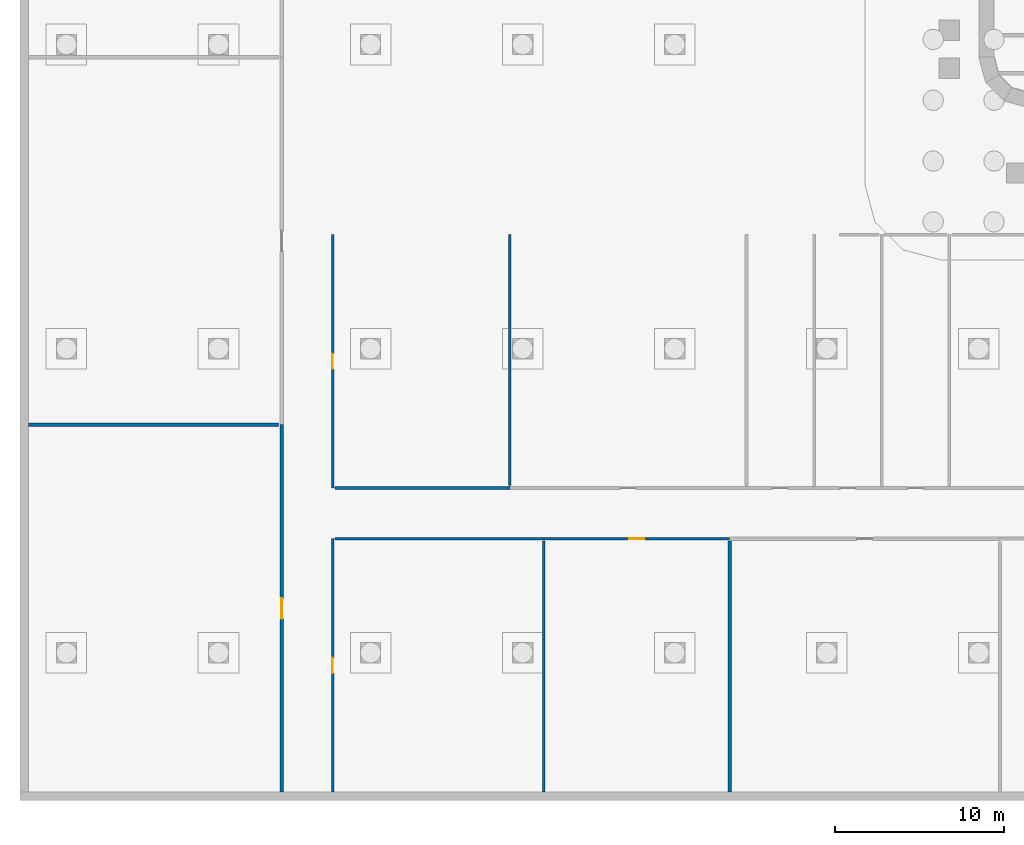
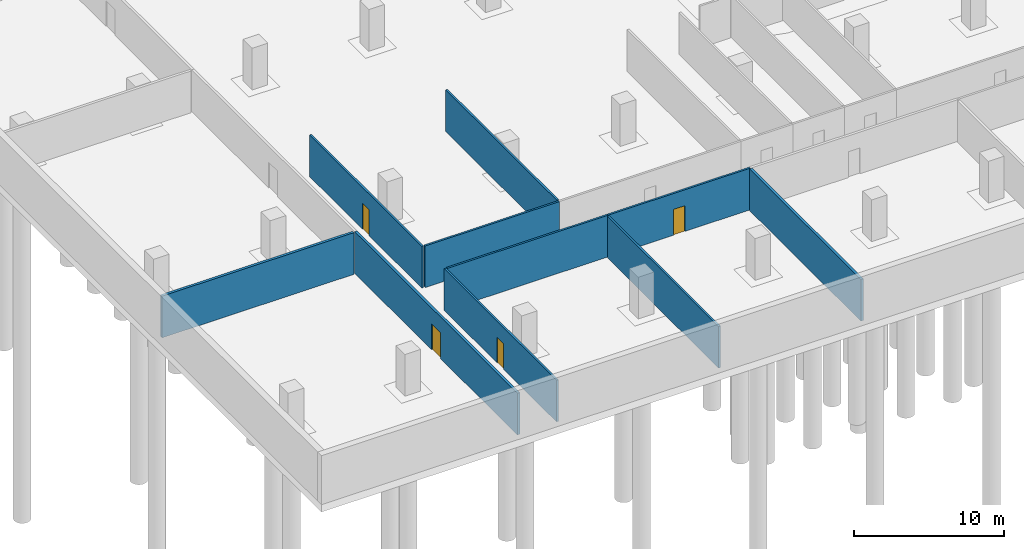
# One storey, part 4 of 14: 10 walls, 4 doors, 4 openings.
"""IFC4 building model written with IfcOpenShell, lengths in metres."""

from ifc_helpers import new_model, si_unit, direction, frame, frame_2d, origin, place, context, subcontext, project, spatial, rectangle, extrude, material, layer, layer_set, type_object, element, fill, save


model = new_model("IFC4")

# Units and contexts
model_context = context("Model", 3, precision=1e-05, world=origin(), true_north=direction((0.0, 1.0)))
body_context = subcontext(model_context, "Body", "Model", "MODEL_VIEW")
ifc_project = project(units=[si_unit("LENGTHUNIT", "METRE"), si_unit("AREAUNIT", "SQUARE_METRE"), si_unit("VOLUMEUNIT", "CUBIC_METRE"), si_unit("PLANEANGLEUNIT", "RADIAN"), si_unit("MASSUNIT", "GRAM", prefix="KILO")], contexts=[model_context])

# Site, building, storey
site_placement = place(None, origin())
site = spatial("IfcSite", under=ifc_project, at=site_placement, CompositionType="ELEMENT")
building_placement = place(site_placement, origin())
building = spatial("IfcBuilding", under=site, at=building_placement, Name="Zarbagh Exchange Tower", CompositionType="ELEMENT")
storey_placement = place(building_placement, frame((0.0, 0.0, -8.0)))
storey = spatial("IfcBuildingStorey", under=building, at=storey_placement, Name="B2", CompositionType="ELEMENT", Elevation=-8.0)

# Wall, opening, door
ifc_material_1 = material(Name="Plasterboard partition")
ifc_layer_1 = layer(ifc_material_1, 0.14990234375)
ifc_layer_set_1 = layer_set([ifc_layer_1], Name="Board partition 150")
wall_type_1 = type_object("IfcWallType", Name="Board partition 150", PredefinedType="PARTITIONING", material=ifc_layer_set_1)
wall_1_placement = place(storey_placement, frame((-42.75, -54.75, 0.0), z_axis=(0.0, 0.0, 1.0), x_axis=(0.0, -1.0, 0.0)))
wall_1 = element("IfcWall", 1, at=wall_1_placement, inside=storey, type_object=wall_type_1, Name="WL-B2-W007", PredefinedType="PARTITIONING", context=body_context, shape_type="SweptSolid", body=[
    extrude(rectangle(XDim=15.0, YDim=0.14990234375, at=frame_2d((7.5, 0.0))), origin(), (0.0, 0.0, 1.0), 3.39990234375),
])
opening_1_placement = place(wall_1_placement, frame((7.050048828125, 0.0, 0.0)))
opening_1 = element("IfcOpeningElement", 2, at=opening_1_placement, cuts=wall_1, Name="Opening D07", PredefinedType="OPENING", context=body_context, shape_type="SweptSolid", body=[
    extrude(rectangle(XDim=0.89990234375, YDim=2.10009765625, at=frame_2d((0.449951171875, 1.050048828125))), frame((0.0, 0.0849609375, 0.0), z_axis=(0.0, -1.0, 0.0), x_axis=(1.0, 0.0, 0.0)), (0.0, 0.0, 1.0), 0.169921875),
])
ifc_material_2 = material(Name="Timber door leaf", Category="wood")
door_type_1 = type_object("IfcDoorType", Name="Door single 900x2100", OperationType="SINGLE_SWING_LEFT", PredefinedType="DOOR", material=ifc_material_2)
door_1_placement = place(opening_1_placement, origin())
door_1 = element("IfcDoor", 3, at=door_1_placement, inside=storey, type_object=door_type_1, Name="D07", OperationType="SINGLE_SWING_LEFT", OverallHeight=2.10009765625, OverallWidth=0.89990234375, PredefinedType="DOOR", context=body_context, shape_type="SweptSolid", body=[
    extrude(rectangle(XDim=0.89990234375, YDim=2.10009765625, at=frame_2d((0.449951171875, 1.050048828125))), frame((0.0, 0.02490234375, 0.0), z_axis=(0.0, -1.0, 0.0), x_axis=(1.0, 0.0, 0.0)), (0.0, 0.0, 1.0), 0.050048828125),
])
fill(opening_1, door_1)

wall_2_placement = place(storey_placement, frame((-42.75, -36.75, 0.0), z_axis=(0.0, 0.0, 1.0), x_axis=(0.0, -1.0, 0.0)))
wall_2 = element("IfcWall", 4, at=wall_2_placement, inside=storey, type_object=wall_type_1, Name="WL-B2-W008", PredefinedType="PARTITIONING", context=body_context, shape_type="SweptSolid", body=[
    extrude(rectangle(XDim=15.0, YDim=0.14990234375, at=frame_2d((7.5, 0.0))), origin(), (0.0, 0.0, 1.0), 3.39990234375),
])
opening_2_placement = place(wall_2_placement, frame((7.050048828125, 0.0, 0.0)))
opening_2 = element("IfcOpeningElement", 5, at=opening_2_placement, cuts=wall_2, Name="Opening D49", PredefinedType="OPENING", context=body_context, shape_type="SweptSolid", body=[
    extrude(rectangle(XDim=0.89990234375, YDim=2.10009765625, at=frame_2d((0.449951171875, 1.050048828125))), frame((0.0, 0.0849609375, 0.0), z_axis=(0.0, -1.0, 0.0), x_axis=(1.0, 0.0, 0.0)), (0.0, 0.0, 1.0), 0.169921875),
])
door_2_placement = place(opening_2_placement, origin())
door_2 = element("IfcDoor", 6, at=door_2_placement, inside=storey, type_object=door_type_1, Name="D08", OperationType="SINGLE_SWING_LEFT", OverallHeight=2.10009765625, OverallWidth=0.89990234375, PredefinedType="DOOR", context=body_context, shape_type="SweptSolid", body=[
    extrude(rectangle(XDim=0.89990234375, YDim=2.10009765625, at=frame_2d((0.449951171875, 1.050048828125))), frame((0.0, 0.02490234375, 0.0), z_axis=(0.0, -1.0, 0.0), x_axis=(1.0, 0.0, 0.0)), (0.0, 0.0, 1.0), 0.050048828125),
])
fill(opening_2, door_2)

# Wall
wall_3_placement = place(storey_placement, frame((-30.25, -54.75, 0.0), z_axis=(0.0, 0.0, 1.0), x_axis=(-1.0, 0.0, 0.0)))
element("IfcWall", 7, at=wall_3_placement, inside=storey, type_object=wall_type_1, Name="WL-B2-W014", PredefinedType="PARTITIONING", context=body_context, shape_type="SweptSolid", body=[
    extrude(rectangle(XDim=12.35009765625, YDim=0.14990234375, at=frame_2d((6.175048828125, 0.0))), origin(), (0.0, 0.0, 1.0), 3.39990234375),
])

# Wall, opening, door
wall_4_placement = place(storey_placement, frame((-19.25, -54.75, 0.0), z_axis=(0.0, 0.0, 1.0), x_axis=(-1.0, 0.0, 0.0)))
wall_4 = element("IfcWall", 8, at=wall_4_placement, inside=storey, type_object=wall_type_1, Name="WL-B2-W015", PredefinedType="PARTITIONING", context=body_context, shape_type="SweptSolid", body=[
    extrude(rectangle(XDim=11.0, YDim=0.14990234375, at=frame_2d((5.5, 0.0))), origin(), (0.0, 0.0, 1.0), 3.39990234375),
])
opening_3_placement = place(wall_4_placement, frame((5.050048828125, 0.0, 0.0)))
opening_3 = element("IfcOpeningElement", 9, at=opening_3_placement, cuts=wall_4, Name="Opening D09", PredefinedType="OPENING", context=body_context, shape_type="SweptSolid", body=[
    extrude(rectangle(XDim=0.89990234375, YDim=2.10009765625, at=frame_2d((0.449951171875, 1.050048828125))), frame((0.0, 0.0849609375, 0.0), z_axis=(0.0, -1.0, 0.0), x_axis=(1.0, 0.0, 0.0)), (0.0, 0.0, 1.0), 0.169921875),
])
door_3_placement = place(opening_3_placement, origin())
door_3 = element("IfcDoor", 10, at=door_3_placement, inside=storey, type_object=door_type_1, Name="D09", OperationType="SINGLE_SWING_LEFT", OverallHeight=2.10009765625, OverallWidth=0.89990234375, PredefinedType="DOOR", context=body_context, shape_type="SweptSolid", body=[
    extrude(rectangle(XDim=0.89990234375, YDim=2.10009765625, at=frame_2d((0.449951171875, 1.050048828125))), frame((0.0, 0.02490234375, 0.0), z_axis=(0.0, -1.0, 0.0), x_axis=(1.0, 0.0, 0.0)), (0.0, 0.0, 1.0), 0.050048828125),
])
fill(opening_3, door_3)

# Walls
wall_5_placement = place(storey_placement, frame((-42.60009765625, -51.75, 0.0), z_axis=(0.0, 0.0, 1.0), x_axis=(1.0, 0.0, 0.0)))
element("IfcWall", 11, at=wall_5_placement, inside=storey, type_object=wall_type_1, Name="WL-B2-W021", PredefinedType="PARTITIONING", context=body_context, shape_type="SweptSolid", body=[
    extrude(rectangle(XDim=10.35009765625, YDim=0.14990234375, at=frame_2d((5.175048828125, 0.0))), origin(), (0.0, 0.0, 1.0), 3.39990234375),
])
for number, where, z_axis, x_axis, name in (
    (12, (-30.25, -54.89990234375, 0.0), (0.0, 0.0, 1.0), (0.0, -1.0, 0.0), "WL-B2-W030"),
    (13, (-32.25, -36.75, 0.0), (0.0, 0.0, 1.0), (0.0, -1.0, 0.0), "WL-B2-W038"),
):
    element("IfcWall", number, at=place(storey_placement, frame(where, z_axis=z_axis, x_axis=x_axis)), inside=storey, type_object=wall_type_1, Name=name, PredefinedType="PARTITIONING", context=body_context, shape_type="SweptSolid", body=[
        extrude(rectangle(XDim=14.85009765625, YDim=0.14990234375, at=frame_2d((7.425048828125, 0.0))), origin(), (0.0, 0.0, 1.0), 3.39990234375),
    ])

# Wall, opening, door
ifc_material_3 = material(Name="Concrete block partition", Category="concrete")
ifc_layer_2 = layer(ifc_material_3, 0.199951171875)
ifc_layer_set_2 = layer_set([ifc_layer_2], Name="Fire-rated block partition 200 EI 120")
wall_type_2 = type_object("IfcWallType", Name="Fire-rated block partition 200 EI 120", PredefinedType="PARTITIONING", material=ifc_layer_set_2)
wall_6_placement = place(storey_placement, frame((-45.75, -69.75, 0.0), z_axis=(0.0, 0.0, 1.0), x_axis=(0.0, 1.0, 0.0)))
wall_6 = element("IfcWall", 14, at=wall_6_placement, inside=storey, type_object=wall_type_2, Name="WL-B2-W001", PredefinedType="PARTITIONING", context=body_context, shape_type="SweptSolid", body=[
    extrude(rectangle(XDim=21.75, YDim=0.199951171875, at=frame_2d((10.875, 0.0))), origin(), (0.0, 0.0, 1.0), 3.39990234375),
])
opening_4_placement = place(wall_6_placement, frame((10.27490234375, 0.0, 0.0)))
opening_4 = element("IfcOpeningElement", 15, at=opening_4_placement, cuts=wall_6, Name="Opening D29", PredefinedType="OPENING", context=body_context, shape_type="SweptSolid", body=[
    extrude(rectangle(XDim=1.199951171875, YDim=2.10009765625, at=frame_2d((0.60009765625, 1.050048828125))), frame((0.0, 0.10986328125, 0.0), z_axis=(0.0, -1.0, 0.0), x_axis=(1.0, 0.0, 0.0)), (0.0, 0.0, 1.0), 0.219970703125),
])
ifc_material_4 = material(Name="Steel door set", Category="steel")
door_type_2 = type_object("IfcDoorType", Name="Door single 1200x2100 EI 120", OperationType="SINGLE_SWING_LEFT", PredefinedType="DOOR", material=ifc_material_4)
door_4_placement = place(opening_4_placement, origin())
door_4 = element("IfcDoor", 16, at=door_4_placement, inside=storey, type_object=door_type_2, Name="D01", OperationType="SINGLE_SWING_LEFT", OverallHeight=2.10009765625, OverallWidth=1.199951171875, PredefinedType="DOOR", context=body_context, shape_type="SweptSolid", body=[
    extrude(rectangle(XDim=1.199951171875, YDim=2.10009765625, at=frame_2d((0.60009765625, 1.050048828125))), frame((0.0, 0.02490234375, 0.0), z_axis=(0.0, -1.0, 0.0), x_axis=(1.0, 0.0, 0.0)), (0.0, 0.0, 1.0), 0.050048828125),
])
fill(opening_4, door_4)

# Walls
wall_7_placement = place(storey_placement, frame((-60.75, -48.0, 0.0), z_axis=(0.0, 0.0, 1.0), x_axis=(1.0, 0.0, 0.0)))
element("IfcWall", 17, at=wall_7_placement, inside=storey, type_object=wall_type_2, Name="WL-B2-W009", PredefinedType="PARTITIONING", context=body_context, shape_type="SweptSolid", body=[
    extrude(rectangle(XDim=14.800048828125, YDim=0.199951171875, at=frame_2d((7.39990234375, 0.0))), origin(), (0.0, 0.0, 1.0), 3.39990234375),
])
ifc_layer_3 = layer(ifc_material_3, 0.199951171875)
ifc_layer_set_3 = layer_set([ifc_layer_3], Name="Fire-rated block partition 200 EI 60")
wall_type_3 = type_object("IfcWallType", Name="Fire-rated block partition 200 EI 60", PredefinedType="PARTITIONING", material=ifc_layer_set_3)
wall_8_placement = place(storey_placement, frame((-19.25, -54.89990234375, 0.0), z_axis=(0.0, 0.0, 1.0), x_axis=(0.0, -1.0, 0.0)))
element("IfcWall", 18, at=wall_8_placement, inside=storey, type_object=wall_type_3, Name="WL-B2-W031", PredefinedType="PARTITIONING", context=body_context, shape_type="SweptSolid", body=[
    extrude(rectangle(XDim=14.85009765625, YDim=0.199951171875, at=frame_2d((7.425048828125, 0.0))), origin(), (0.0, 0.0, 1.0), 3.39990234375),
])

save(model, "model.ifc")
